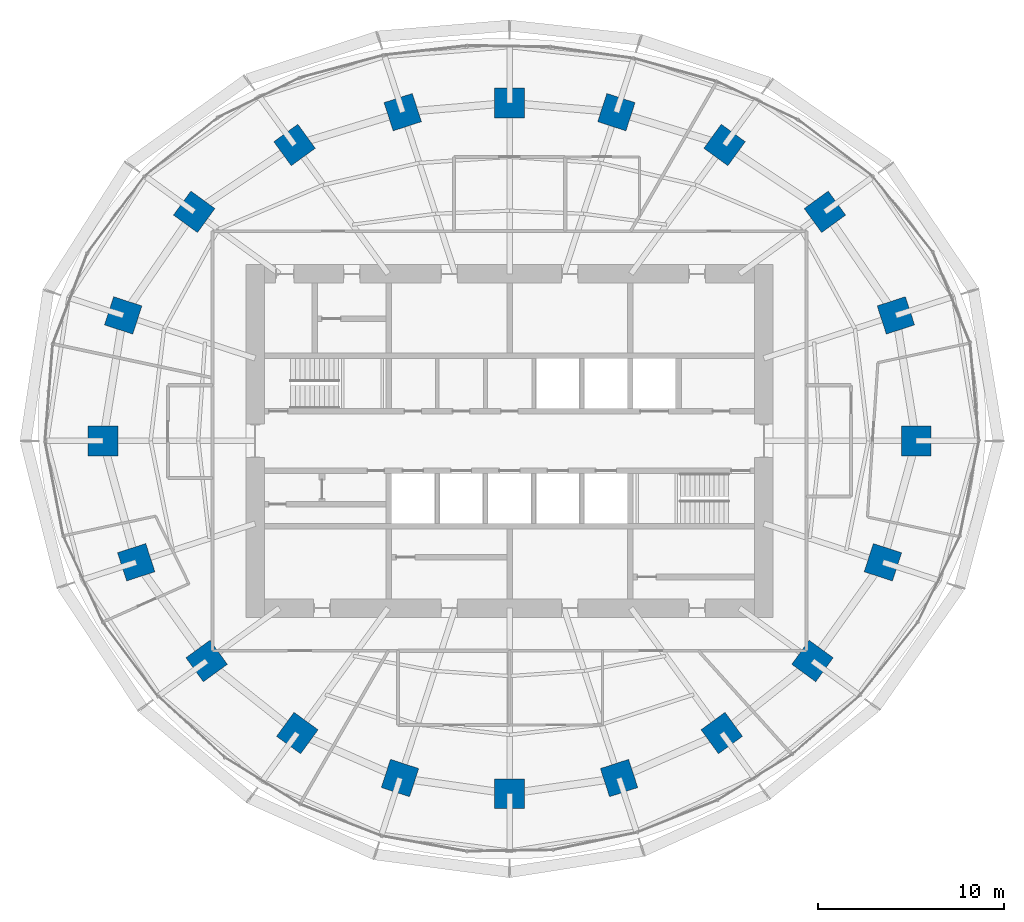
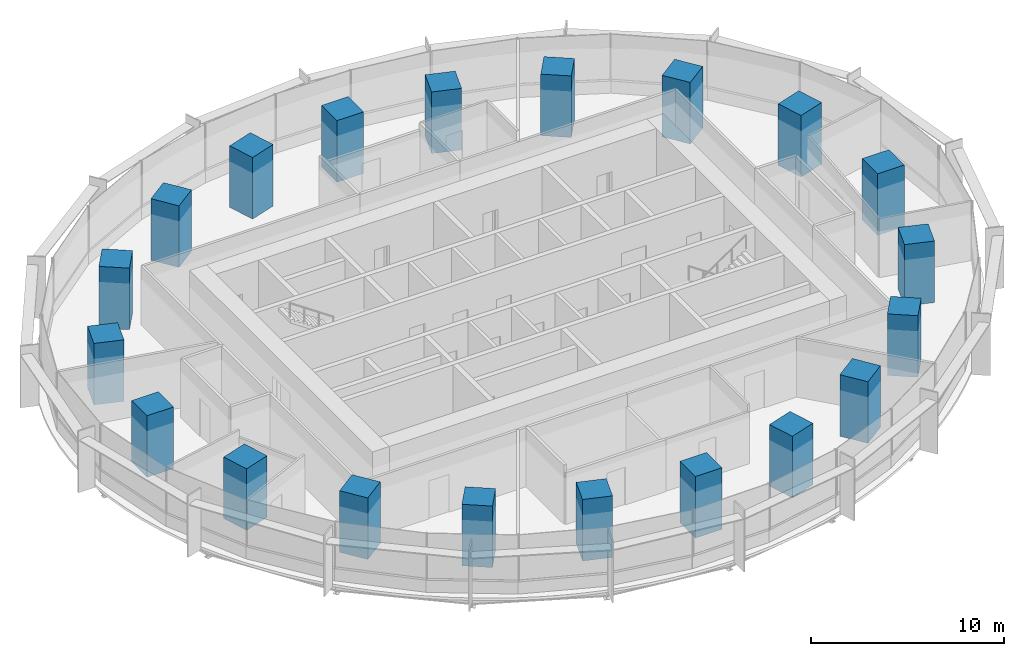
# One storey, part 1 of 14: 20 columns.
"""IFC4 building model written with IfcOpenShell, lengths in metres."""

import ifcopenshell
import ifcopenshell.guid

model = None  # the IFC model being written
_history = None  # IfcOwnerHistory: only IFC2X3 demands one
_inside = {}  # id of a spatial element -> (the spatial element, [elements in it])
_under = {}  # id of a project, library or spatial element -> (it, [spatial elements below it])
_declared = {}  # id of a project -> (the project, [libraries it declares])
_typed = {}  # id of a type object -> (the type object, [elements of that type])
_made_of = {}  # id of a material, layer set ... -> (it, [elements and type objects made of it])


def new_model(schema):
    """Start an empty IFC model of exactly this schema.

    Asked for "IFC4X3", IfcOpenShell would pick the latest addendum, in which some entities
    have other attributes; the version numbers below select the first issue.
    IFC2X3 requires an IfcOwnerHistory on every rooted entity: one is made here for all.
    """
    global model, _history
    if schema == "IFC4X3":
        model = ifcopenshell.file(schema_version=(4, 3, 0, 0))
    else:
        model = ifcopenshell.file(schema=schema)
    _inside.clear()
    _under.clear()
    _declared.clear()
    _typed.clear()
    _made_of.clear()
    _history = None
    if model.schema == "IFC2X3":
        org = make("IfcOrganization", Name="unknown")
        user = make(
            "IfcPersonAndOrganization",
            ThePerson=make("IfcPerson", FamilyName="unknown"),
            TheOrganization=org,
        )
        app = make(
            "IfcApplication",
            ApplicationDeveloper=org,
            Version="unknown",
            ApplicationFullName="unknown",
            ApplicationIdentifier="unknown",
        )
        _history = make(
            "IfcOwnerHistory",
            OwningUser=user,
            OwningApplication=app,
            ChangeAction="ADDED",
            CreationDate=0,
        )
    return model


def make(cls, **values):
    """One entity of the class cls with the attributes given. An attribute that is None is left unset."""
    return model.create_entity(
        cls, **{name: value for name, value in values.items() if value is not None}
    )


def rooted(cls, **values):
    """An entity with a GlobalId (a new one), such as an element, a storey or a relation."""
    return make(cls, GlobalId=ifcopenshell.guid.new(), OwnerHistory=_history, **values)


def si_unit(unit_type, name, prefix=None):
    """IfcSIUnit, for example si_unit("LENGTHUNIT", "METRE", prefix="MILLI")."""
    return make("IfcSIUnit", UnitType=unit_type, Prefix=prefix, Name=name)


def assignment(units):
    """IfcUnitAssignment: the units of a project."""
    return None if units is None else make("IfcUnitAssignment", Units=units)


def point(xyz):
    """IfcCartesianPoint."""
    return None if xyz is None else make("IfcCartesianPoint", Coordinates=xyz)


def direction(xyz):
    """IfcDirection."""
    return None if xyz is None else make("IfcDirection", DirectionRatios=xyz)


def frame(location, z_axis=None, x_axis=None):
    """IfcAxis2Placement3D, a coordinate frame: its origin and axes. An axis left out is left unset."""
    return make(
        "IfcAxis2Placement3D",
        Location=point(location),
        Axis=direction(z_axis),
        RefDirection=direction(x_axis),
    )


def frame_2d(location, x_axis=None):
    """IfcAxis2Placement2D, a coordinate frame in the plane: its origin and x axis."""
    return make(
        "IfcAxis2Placement2D", Location=point(location), RefDirection=direction(x_axis)
    )


def origin():
    """The frame at (0, 0, 0) with its axes left unset."""
    return frame((0.0, 0.0, 0.0))


def origin_2d():
    """The frame at (0, 0) in the plane with its x axis left unset."""
    return frame_2d((0.0, 0.0))


def place(relative_to, where):
    """IfcLocalPlacement: puts the frame where relative to a parent placement (None: the world)."""
    return make(
        "IfcLocalPlacement", PlacementRelTo=relative_to, RelativePlacement=where
    )


def context(
    kind, dimensions, precision=None, world=None, true_north=None, identifier=None
):
    """IfcGeometricRepresentationContext, for example the 3D "Model" context."""
    return make(
        "IfcGeometricRepresentationContext",
        ContextIdentifier=identifier,
        ContextType=kind,
        CoordinateSpaceDimension=dimensions,
        Precision=precision,
        WorldCoordinateSystem=world,
        TrueNorth=true_north,
    )


def subcontext(parent, identifier, kind, view, scale=None):
    """IfcGeometricRepresentationSubContext, for example "Body" below "Model"."""
    return make(
        "IfcGeometricRepresentationSubContext",
        ContextIdentifier=identifier,
        ContextType=kind,
        ParentContext=parent,
        TargetScale=scale,
        TargetView=view,
    )


def project(units=None, contexts=None):
    """IfcProject with its units and contexts."""
    return rooted(
        "IfcProject",
        Name="project",
        RepresentationContexts=contexts,
        UnitsInContext=assignment(units),
    )


def spatial(cls, under=None, at=None, **own):
    """A site, building, storey or space (cls), placed at a placement, below another one or the project."""
    s = rooted(cls, ObjectPlacement=at, **own)
    if under is not None:
        _under.setdefault(under.id(), (under, []))[1].append(s)
    return s


def profile(cls, at=None, kind="AREA", **sizes):
    """A parametric profile (cls). Its sizes go by their IFC names, for example OverallWidth=200.0."""
    return make(cls, ProfileType=kind, Position=at, **sizes)


def rectangle(**sizes):
    """IfcRectangleProfileDef."""
    return profile("IfcRectangleProfileDef", **sizes)


def extrude(swept, where, along, depth):
    """IfcExtrudedAreaSolid: the profile swept, set in the frame where, extruded along a direction by depth."""
    return make(
        "IfcExtrudedAreaSolid",
        SweptArea=swept,
        Position=where,
        ExtrudedDirection=direction(along),
        Depth=depth,
    )


def shape(context_of_items, identifier, shape_type, items):
    """IfcShapeRepresentation: the items that make up one representation, for example the "Body"."""
    return make(
        "IfcShapeRepresentation",
        ContextOfItems=context_of_items,
        RepresentationIdentifier=identifier,
        RepresentationType=shape_type,
        Items=items,
    )


def material(Name=None, Category=None):
    """IfcMaterial."""
    return make("IfcMaterial", Name=Name, Category=Category)


def material_profile(
    of_material, cross_section, Name=None, Category=None, Priority=None
):
    """IfcMaterialProfile: a cross section and its material."""
    return make(
        "IfcMaterialProfile",
        Name=Name,
        Material=of_material,
        Profile=cross_section,
        Priority=Priority,
        Category=Category,
    )


def profile_set(profiles, Name=None, composite=None):
    """IfcMaterialProfileSet."""
    return make(
        "IfcMaterialProfileSet",
        Name=Name,
        MaterialProfiles=profiles,
        CompositeProfile=composite,
    )


def made_of(thing, what):
    """Note that an element or type object is made of a material, layer set ...; save() writes the relation."""
    if what is not None:
        _made_of.setdefault(what.id(), (what, []))[1].append(thing)
    return thing


def type_object(cls, material=None, **own):
    """A type object (cls), such as IfcWallType, which elements share."""
    return made_of(rooted(cls, **own), material)


def element(
    cls,
    number,
    at=None,
    inside=None,
    cuts=None,
    type_object=None,
    material=None,
    context=None,
    identifier="Body",
    shape_type=None,
    held_by="IfcProductDefinitionShape",
    body=None,
    shapes=None,
    **own,
):
    """One element of the class cls, such as IfcWall. Its Tag is "e" and its number.

    at: its placement. inside: the storey or other place that contains it. cuts: it is an
    opening in that element (IfcRelVoidsElement). A single representation is given by context,
    identifier, shape_type and body (its items); several are given by shapes. held_by: the class
    of the entity that holds the representations. save() writes the other relations.
    """
    e = rooted(cls, Tag="e%d" % number, ObjectPlacement=at, **own)
    if body is not None:
        shapes = [shape(context, identifier, shape_type, body)]
    if shapes is not None:
        e.Representation = make(held_by, Representations=shapes)
    if inside is not None:
        _inside.setdefault(inside.id(), (inside, []))[1].append(e)
    if cuts is not None:
        rooted(
            "IfcRelVoidsElement", RelatingBuildingElement=cuts, RelatedOpeningElement=e
        )
    if type_object is not None:
        _typed.setdefault(type_object.id(), (type_object, []))[1].append(e)
    return made_of(e, material)


def aggregate(whole, parts):
    """IfcRelAggregates: a whole, such as a stair, and the parts it consists of."""
    return rooted("IfcRelAggregates", RelatingObject=whole, RelatedObjects=parts)


def save(model, path):
    """Write the relations noted so far, then the file.

    IfcRelAggregates (storeys below a building ...), IfcRelContainedInSpatialStructure (elements
    in a storey), IfcRelDefinesByType, IfcRelAssociatesMaterial and IfcRelDeclares: one each for
    every whole, place, type object, material and project.
    """
    for whole, parts in _under.values():
        aggregate(whole, parts)
    for where, things in _inside.values():
        rooted(
            "IfcRelContainedInSpatialStructure",
            RelatedElements=things,
            RelatingStructure=where,
        )
    for kind, things in _typed.values():
        rooted("IfcRelDefinesByType", RelatedObjects=things, RelatingType=kind)
    for what, things in _made_of.values():
        rooted("IfcRelAssociatesMaterial", RelatedObjects=things, RelatingMaterial=what)
    for by, libraries in _declared.values():
        rooted("IfcRelDeclares", RelatingContext=by, RelatedDefinitions=libraries)
    model.write(path)


model = new_model("IFC4")

# Units and contexts
model_context = context("Model", 3, precision=1e-05, world=origin(), true_north=direction((0.0, 1.0)))
body_context = subcontext(model_context, "Body", "Model", "MODEL_VIEW")
ifc_project = project(units=[si_unit("LENGTHUNIT", "METRE"), si_unit("AREAUNIT", "SQUARE_METRE"), si_unit("VOLUMEUNIT", "CUBIC_METRE"), si_unit("PLANEANGLEUNIT", "RADIAN"), si_unit("MASSUNIT", "GRAM", prefix="KILO")], contexts=[model_context])

# Site, building, storey
site_placement = place(None, origin())
site = spatial("IfcSite", under=ifc_project, at=site_placement, CompositionType="ELEMENT")
building_placement = place(site_placement, origin())
building = spatial("IfcBuilding", under=site, at=building_placement, Name="Marramba Exchange Tower", CompositionType="ELEMENT")
storey_placement = place(building_placement, frame((0.0, 0.0, 123.60009765625)))
storey = spatial("IfcBuildingStorey", under=building, at=storey_placement, Name="L29", CompositionType="ELEMENT", Elevation=123.60009765625)

# Columns
ifc_material = material(Name="Concrete N50", Category="concrete")
ifc_material_profile = material_profile(ifc_material, rectangle(XDim=1.60009765625, YDim=1.60009765625, at=origin_2d()), Name="RC 1600x1600")
ifc_profile_set = profile_set([ifc_material_profile], Name="Concrete N50")
column_type = type_object("IfcColumnType", Name="Perimeter column RC 1600x1600 N50", PredefinedType="COLUMN", material=ifc_profile_set)
for number, where, z_axis, x_axis, name in (
    (1, (21.89990234375, 0.0, 0.0), (0.0, 0.0, 1.0), (1.0, 0.0, 0.0), "Column TC01 L29"),
    (2, (20.808349609375, 6.760986328125, 0.0), (0.0, 0.0, 1.0), (0.951056516295, 0.309016994375, 0.0), "Column TC02 L29"),
    (3, (16.98583984375, 12.3408203125, 0.0), (0.0, 0.0, 1.0), (0.809016994375, 0.587785252292, 0.0), "Column TC03 L29"),
    (4, (11.581298828125, 15.9404296875, 0.0), (0.0, 0.0, 1.0), (0.587785252292, 0.809016994375, 0.0), "Column TC04 L29"),
    (5, (5.75390625, 17.70849609375, 0.0), (0.0, 0.0, 1.0), (0.309016994375, 0.951056516295, 0.0), "Column TC05 L29"),
    (6, (0.0, 18.2041015625, 0.0), (0.0, 0.0, 1.0), (0.0, 1.0, 0.0), "Column TC06 L29"),
    (7, (-5.75390625, 17.70849609375, 0.0), (0.0, 0.0, 1.0), (-0.309016994375, 0.951056516295, 0.0), "Column TC07 L29"),
    (8, (-11.581298828125, 15.9404296875, 0.0), (0.0, 0.0, 1.0), (-0.587785252292, 0.809016994375, 0.0), "Column TC08 L29"),
    (9, (-16.98583984375, 12.3408203125, 0.0), (0.0, 0.0, 1.0), (-0.809016994375, 0.587785252292, 0.0), "Column TC09 L29"),
    (10, (-20.808349609375, 6.760986328125, 0.0), (0.0, 0.0, 1.0), (-0.951056516295, 0.309016994375, 0.0), "Column TC10 L29"),
    (11, (-21.89990234375, 0.0, 0.0), (0.0, 0.0, 1.0), (-1.0, 0.0, 0.0), "Column TC11 L29"),
    (12, (-20.109375, -6.533935546875, 0.0), (0.0, 0.0, 1.0), (-0.951056516295, -0.309016994375, 0.0), "Column TC12 L29"),
    (13, (-16.3154296875, -11.853759765625, 0.0), (0.0, 0.0, 1.0), (-0.809016994375, -0.587785252292, 0.0), "Column TC13 L29"),
    (14, (-11.430419921875, -15.732666015625, 0.0), (0.0, 0.0, 1.0), (-0.587785252292, -0.809016994375, 0.0), "Column TC14 L29"),
    (15, (-5.899658203125, -18.156982421875, 0.0), (0.0, 0.0, 1.0), (-0.309016994375, -0.951056516295, 0.0), "Column TC15 L29"),
    (16, (0.0, -18.99609375, 0.0), (0.0, 0.0, 1.0), (0.0, -1.0, 0.0), "Column TC16 L29"),
    (17, (5.899658203125, -18.156982421875, 0.0), (0.0, 0.0, 1.0), (0.309016994375, -0.951056516295, 0.0), "Column TC17 L29"),
    (18, (11.430419921875, -15.732666015625, 0.0), (0.0, 0.0, 1.0), (0.587785252292, -0.809016994375, 0.0), "Column TC18 L29"),
    (19, (16.3154296875, -11.853759765625, 0.0), (0.0, 0.0, 1.0), (0.809016994375, -0.587785252292, 0.0), "Column TC19 L29"),
    (20, (20.109375, -6.533935546875, 0.0), (0.0, 0.0, 1.0), (0.951056516295, -0.309016994375, 0.0), "Column TC20 L29"),
):
    element("IfcColumn", number, at=place(storey_placement, frame(where, z_axis=z_axis, x_axis=x_axis)), inside=storey, type_object=column_type, Name=name, PredefinedType="COLUMN", context=body_context, shape_type="SweptSolid", body=[
        extrude(rectangle(XDim=1.60009765625, YDim=1.60009765625, at=origin_2d()), origin(), (0.0, 0.0, 1.0), 3.89990234375),
    ])

save(model, "model.ifc")
